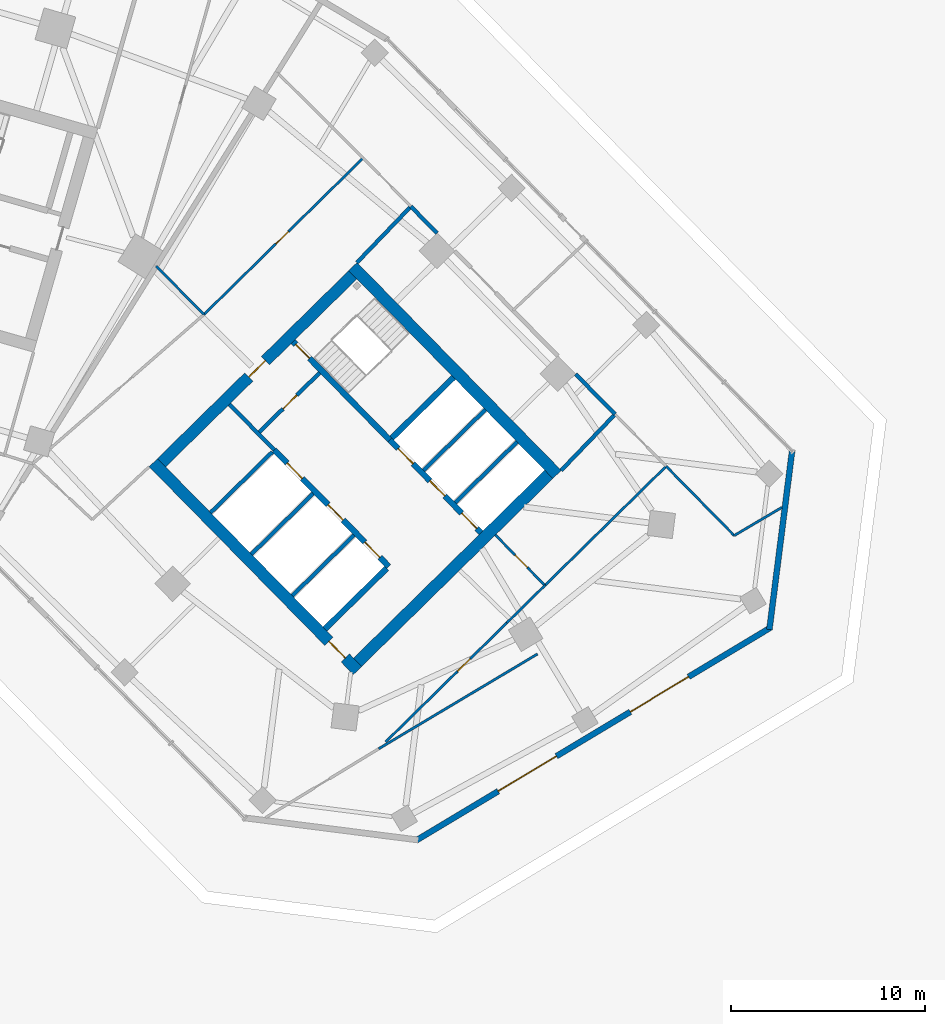
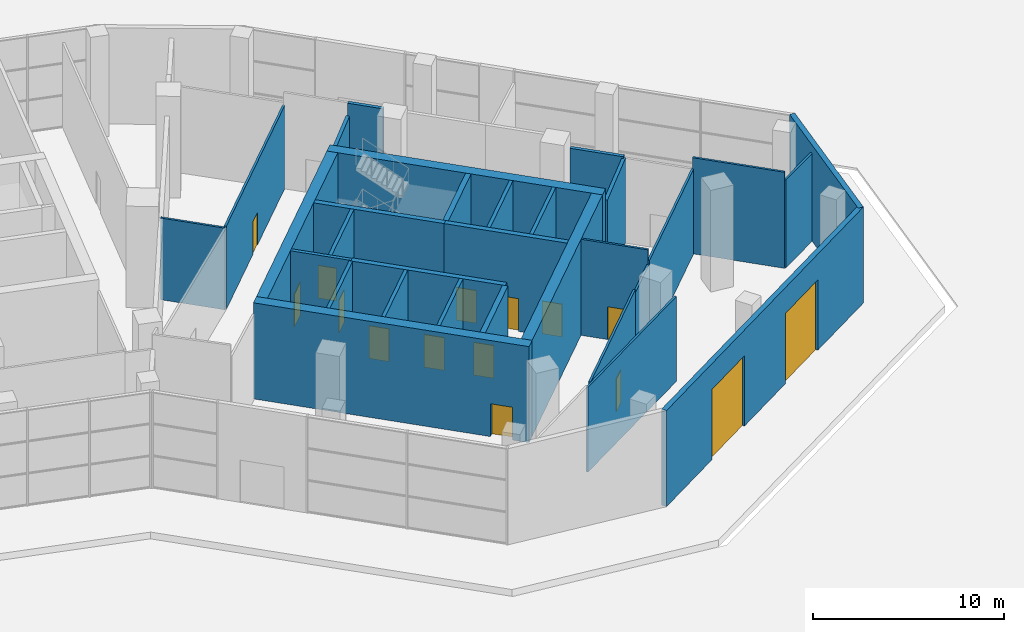
# One storey, part 16 of 22: 31 walls, 15 doors, 15 openings.
"""IFC4 building model written with IfcOpenShell, lengths in metres."""

from ifc_helpers import new_model, si_unit, direction, frame, frame_2d, origin, place, context, subcontext, project, spatial, rectangle, extrude, material, layer, layer_set, type_object, element, fill, save


model = new_model("IFC4")

# Units and contexts
model_context = context("Model", 3, precision=1e-05, world=origin(), true_north=direction((0.0, 1.0)))
body_context = subcontext(model_context, "Body", "Model", "MODEL_VIEW")
ifc_project = project(units=[si_unit("LENGTHUNIT", "METRE"), si_unit("AREAUNIT", "SQUARE_METRE"), si_unit("VOLUMEUNIT", "CUBIC_METRE"), si_unit("PLANEANGLEUNIT", "RADIAN"), si_unit("MASSUNIT", "GRAM", prefix="KILO")], contexts=[model_context])

# Site, building, storey
site_placement = place(None, origin())
site = spatial("IfcSite", under=ifc_project, at=site_placement, CompositionType="ELEMENT")
building_placement = place(site_placement, origin())
building = spatial("IfcBuilding", under=site, at=building_placement, Name="Binnacle Exchange Tower", CompositionType="ELEMENT")
storey_placement = place(building_placement, origin())
storey = spatial("IfcBuildingStorey", under=building, at=storey_placement, Name="L00", CompositionType="ELEMENT", Elevation=0.0)

# Wall, openings, doors
ifc_material_1 = material(Name="Concrete C70/85", Category="concrete")
ifc_layer_1 = layer(ifc_material_1, 0.300048828125)
ifc_layer_set_1 = layer_set([ifc_layer_1], Name="Core wall - front 300")
wall_type_1 = type_object("IfcWallType", Name="Core wall - front 300", PredefinedType="SOLIDWALL", material=ifc_layer_set_1)
wall_1_placement = place(storey_placement, frame((37.8740234375, 41.41552734375, 0.0), z_axis=(0.0, 0.0, 1.0), x_axis=(0.700918271237, -0.71324159795, 0.0)))
wall_1 = element("IfcWall", 1, at=wall_1_placement, inside=storey, type_object=wall_type_1, Name="Core wall CRWB3", PredefinedType="SOLIDWALL", context=body_context, shape_type="SweptSolid", body=[
    extrude(rectangle(XDim=8.39990234375, YDim=0.300048828125, at=frame_2d((4.199951171875, 0.0))), origin(), (0.0, 0.0, 1.0), 6.14990234375),
])
opening_1_placement = place(wall_1_placement, frame((0.949951171875, 0.0, 0.0)))
opening_1 = element("IfcOpeningElement", 2, at=opening_1_placement, cuts=wall_1, Name="Opening LD15", PredefinedType="OPENING", context=body_context, shape_type="SweptSolid", body=[
    extrude(rectangle(XDim=1.10009765625, YDim=2.10009765625, at=frame_2d((0.550048828125, 1.050048828125))), frame((0.0, 0.159912109375, 0.0), z_axis=(0.0, -1.0, 0.0), x_axis=(1.0, 0.0, 0.0)), (0.0, 0.0, 1.0), 0.320068359375),
])
opening_2_placement = place(wall_1_placement, frame((3.949951171875, 0.0, 0.0)))
opening_2 = element("IfcOpeningElement", 3, at=opening_2_placement, cuts=wall_1, Name="Opening LD16", PredefinedType="OPENING", context=body_context, shape_type="SweptSolid", body=[
    extrude(rectangle(XDim=1.10009765625, YDim=2.10009765625, at=frame_2d((0.550048828125, 1.050048828125))), frame((0.0, 0.159912109375, 0.0), z_axis=(0.0, -1.0, 0.0), x_axis=(1.0, 0.0, 0.0)), (0.0, 0.0, 1.0), 0.320068359375),
])
opening_3_placement = place(wall_1_placement, frame((6.64990234375, 0.0, 0.0)))
opening_3 = element("IfcOpeningElement", 4, at=opening_3_placement, cuts=wall_1, Name="Opening LD4", PredefinedType="OPENING", context=body_context, shape_type="SweptSolid", body=[
    extrude(rectangle(XDim=1.10009765625, YDim=2.10009765625, at=frame_2d((0.550048828125, 1.050048828125))), frame((0.0, 0.159912109375, 0.0), z_axis=(0.0, -1.0, 0.0), x_axis=(1.0, 0.0, 0.0)), (0.0, 0.0, 1.0), 0.320068359375),
])
ifc_material_2 = material(Name="Steel door leaf", Category="steel")
door_type_1 = type_object("IfcDoorType", Name="Fire door - lift landing 1100", OperationType="NOTDEFINED", PredefinedType="DOOR", material=ifc_material_2)
door_1_placement = place(opening_1_placement, origin())
door_1 = element("IfcDoor", 5, at=door_1_placement, inside=storey, type_object=door_type_1, Name="Landing door LD15 L00", OperationType="DOUBLE_DOOR_SLIDING", OverallHeight=2.10009765625, OverallWidth=1.10009765625, PredefinedType="DOOR", context=body_context, shape_type="SweptSolid", body=[
    extrude(rectangle(XDim=1.10009765625, YDim=2.10009765625, at=frame_2d((0.550048828125, 1.050048828125))), frame((0.0, 0.02490234375, 0.0), z_axis=(0.0, -1.0, 0.0), x_axis=(1.0, 0.0, 0.0)), (0.0, 0.0, 1.0), 0.050048828125),
])
fill(opening_1, door_1)
door_2_placement = place(opening_2_placement, origin())
door_2 = element("IfcDoor", 6, at=door_2_placement, inside=storey, type_object=door_type_1, Name="Landing door LD16 L00", OperationType="DOUBLE_DOOR_SLIDING", OverallHeight=2.10009765625, OverallWidth=1.10009765625, PredefinedType="DOOR", context=body_context, shape_type="SweptSolid", body=[
    extrude(rectangle(XDim=1.10009765625, YDim=2.10009765625, at=frame_2d((0.550048828125, 1.050048828125))), frame((0.0, 0.02490234375, 0.0), z_axis=(0.0, -1.0, 0.0), x_axis=(1.0, 0.0, 0.0)), (0.0, 0.0, 1.0), 0.050048828125),
])
fill(opening_2, door_2)
door_3_placement = place(opening_3_placement, origin())
door_3 = element("IfcDoor", 7, at=door_3_placement, inside=storey, type_object=door_type_1, Name="Landing door LD4 L00", OperationType="DOUBLE_DOOR_SLIDING", OverallHeight=2.10009765625, OverallWidth=1.10009765625, PredefinedType="DOOR", context=body_context, shape_type="SweptSolid", body=[
    extrude(rectangle(XDim=1.10009765625, YDim=2.10009765625, at=frame_2d((0.550048828125, 1.050048828125))), frame((0.0, 0.02490234375, 0.0), z_axis=(0.0, -1.0, 0.0), x_axis=(1.0, 0.0, 0.0)), (0.0, 0.0, 1.0), 0.050048828125),
])
fill(opening_3, door_3)

wall_2_placement = place(storey_placement, frame((43.818603515625, 41.92919921875, 0.0), z_axis=(0.0, 0.0, 1.0), x_axis=(0.700921619155, -0.713238307862, 0.0)))
wall_2 = element("IfcWall", 8, at=wall_2_placement, inside=storey, type_object=wall_type_1, Name="Core wall CRWB5", PredefinedType="SOLIDWALL", context=body_context, shape_type="SweptSolid", body=[
    extrude(rectangle(XDim=6.69970703125, YDim=0.300048828125, at=frame_2d((3.349853515625, 0.0))), origin(), (0.0, 0.0, 1.0), 6.14990234375),
])
opening_4_placement = place(wall_2_placement, frame((0.614990234375, 0.0, 0.0)))
opening_4 = element("IfcOpeningElement", 9, at=opening_4_placement, cuts=wall_2, Name="Opening LD1", PredefinedType="OPENING", context=body_context, shape_type="SweptSolid", body=[
    extrude(rectangle(XDim=1.10009765625, YDim=2.10009765625, at=frame_2d((0.550048828125, 1.050048828125))), frame((0.0, 0.159912109375, 0.0), z_axis=(0.0, -1.0, 0.0), x_axis=(1.0, 0.0, 0.0)), (0.0, 0.0, 1.0), 0.320068359375),
])
opening_5_placement = place(wall_2_placement, frame((2.945068359375, 0.0, 0.0)))
opening_5 = element("IfcOpeningElement", 10, at=opening_5_placement, cuts=wall_2, Name="Opening LD2", PredefinedType="OPENING", context=body_context, shape_type="SweptSolid", body=[
    extrude(rectangle(XDim=1.10009765625, YDim=2.10009765625, at=frame_2d((0.550048828125, 1.050048828125))), frame((0.0, 0.159912109375, 0.0), z_axis=(0.0, -1.0, 0.0), x_axis=(1.0, 0.0, 0.0)), (0.0, 0.0, 1.0), 0.320068359375),
])
opening_6_placement = place(wall_2_placement, frame((5.280029296875, 0.0, 0.0)))
opening_6 = element("IfcOpeningElement", 11, at=opening_6_placement, cuts=wall_2, Name="Opening LD3", PredefinedType="OPENING", context=body_context, shape_type="SweptSolid", body=[
    extrude(rectangle(XDim=1.10009765625, YDim=2.10009765625, at=frame_2d((0.550048828125, 1.050048828125))), frame((0.0, 0.159912109375, 0.0), z_axis=(0.0, -1.0, 0.0), x_axis=(1.0, 0.0, 0.0)), (0.0, 0.0, 1.0), 0.320068359375),
])
door_4_placement = place(opening_4_placement, origin())
door_4 = element("IfcDoor", 12, at=door_4_placement, inside=storey, type_object=door_type_1, Name="Landing door LD1 L00", OperationType="DOUBLE_DOOR_SLIDING", OverallHeight=2.10009765625, OverallWidth=1.10009765625, PredefinedType="DOOR", context=body_context, shape_type="SweptSolid", body=[
    extrude(rectangle(XDim=1.10009765625, YDim=2.10009765625, at=frame_2d((0.550048828125, 1.050048828125))), frame((0.0, 0.02490234375, 0.0), z_axis=(0.0, -1.0, 0.0), x_axis=(1.0, 0.0, 0.0)), (0.0, 0.0, 1.0), 0.050048828125),
])
fill(opening_4, door_4)
door_5_placement = place(opening_5_placement, origin())
door_5 = element("IfcDoor", 13, at=door_5_placement, inside=storey, type_object=door_type_1, Name="Landing door LD2 L00", OperationType="DOUBLE_DOOR_SLIDING", OverallHeight=2.10009765625, OverallWidth=1.10009765625, PredefinedType="DOOR", context=body_context, shape_type="SweptSolid", body=[
    extrude(rectangle(XDim=1.10009765625, YDim=2.10009765625, at=frame_2d((0.550048828125, 1.050048828125))), frame((0.0, 0.02490234375, 0.0), z_axis=(0.0, -1.0, 0.0), x_axis=(1.0, 0.0, 0.0)), (0.0, 0.0, 1.0), 0.050048828125),
])
fill(opening_5, door_5)
door_6_placement = place(opening_6_placement, origin())
door_6 = element("IfcDoor", 14, at=door_6_placement, inside=storey, type_object=door_type_1, Name="Landing door LD3 L00", OperationType="DOUBLE_DOOR_SLIDING", OverallHeight=2.10009765625, OverallWidth=1.10009765625, PredefinedType="DOOR", context=body_context, shape_type="SweptSolid", body=[
    extrude(rectangle(XDim=1.10009765625, YDim=2.10009765625, at=frame_2d((0.550048828125, 1.050048828125))), frame((0.0, 0.02490234375, 0.0), z_axis=(0.0, -1.0, 0.0), x_axis=(1.0, 0.0, 0.0)), (0.0, 0.0, 1.0), 0.050048828125),
])
fill(opening_6, door_6)

# Wall
wall_3_placement = place(storey_placement, frame((40.480712890625, 32.199951171875, 0.0), z_axis=(0.0, 0.0, 1.0), x_axis=(0.713251741427, 0.700907949271, 0.0)))
element("IfcWall", 15, at=wall_3_placement, inside=storey, type_object=wall_type_1, Name="Core wall CRWB14", PredefinedType="SOLIDWALL", context=body_context, shape_type="SweptSolid", body=[
    extrude(rectangle(XDim=4.4501953125, YDim=0.300048828125, at=frame_2d((2.22509765625, 0.0))), origin(), (0.0, 0.0, 1.0), 6.14990234375),
])

# Wall, opening, door
ifc_layer_2 = layer(ifc_material_1, 0.60009765625)
ifc_layer_set_2 = layer_set([ifc_layer_2], Name="Core wall - outer 600")
wall_type_2 = type_object("IfcWallType", Name="Core wall - outer 600", PredefinedType="SOLIDWALL", material=ifc_layer_set_2)
wall_4_placement = place(storey_placement, frame((31.6455078125, 40.7626953125, 0.0), z_axis=(0.0, 0.0, 1.0), x_axis=(0.700911255944, -0.713248491965, 0.0)))
wall_4 = element("IfcWall", 16, at=wall_4_placement, inside=storey, type_object=wall_type_2, Name="Core wall CRWB1", PredefinedType="SOLIDWALL", context=body_context, shape_type="SweptSolid", body=[
    extrude(rectangle(XDim=15.0, YDim=0.60009765625, at=frame_2d((7.5, 0.0))), origin(), (0.0, 0.0, 1.0), 6.14990234375),
])
opening_7_placement = place(wall_4_placement, frame((12.89990234375, 0.0, 0.0)))
opening_7 = element("IfcOpeningElement", 17, at=opening_7_placement, cuts=wall_4, Name="Opening DB7", PredefinedType="OPENING", context=body_context, shape_type="SweptSolid", body=[
    extrude(rectangle(XDim=1.199951171875, YDim=2.10009765625, at=frame_2d((0.60009765625, 1.050048828125))), frame((0.0, 0.31005859375, 0.0), z_axis=(0.0, -1.0, 0.0), x_axis=(1.0, 0.0, 0.0)), (0.0, 0.0, 1.0), 0.6201171875),
])
door_type_2 = type_object("IfcDoorType", Name="Fire door 1200", OperationType="NOTDEFINED", PredefinedType="DOOR", material=ifc_material_2)
door_7_placement = place(opening_7_placement, frame((1.199951171875, 0.0, 0.0), z_axis=(0.0, 0.0, 1.0), x_axis=(-1.0, 0.0, 0.0)))
door_7 = element("IfcDoor", 18, at=door_7_placement, inside=storey, type_object=door_type_2, Name="Lift lobby entrance door core B", OperationType="SINGLE_SWING_LEFT", OverallHeight=2.10009765625, OverallWidth=1.199951171875, PredefinedType="DOOR", context=body_context, shape_type="SweptSolid", body=[
    extrude(rectangle(XDim=1.199951171875, YDim=2.10009765625, at=frame_2d((0.60009765625, 1.050048828125))), frame((0.0, 0.02490234375, 0.0), z_axis=(0.0, -1.0, 0.0), x_axis=(1.0, 0.0, 0.0)), (0.0, 0.0, 1.0), 0.050048828125),
])
fill(opening_7, door_7)

# Wall
wall_5_placement = place(storey_placement, frame((41.91650390625, 50.855712890625, 0.0), z_axis=(0.0, 0.0, 1.0), x_axis=(0.700911255944, -0.713248491965, 0.0)))
element("IfcWall", 19, at=wall_5_placement, inside=storey, type_object=wall_type_2, Name="Core wall CRWB6", PredefinedType="SOLIDWALL", context=body_context, shape_type="SweptSolid", body=[
    extrude(rectangle(XDim=15.0, YDim=0.60009765625, at=frame_2d((7.5, 0.0))), origin(), (0.0, 0.0, 1.0), 6.14990234375),
])

# Wall, opening, door
wall_6_placement = place(storey_placement, frame((32.06982421875, 40.759033203125, 0.0), z_axis=(0.0, 0.0, 1.0), x_axis=(0.713245344712, 0.70091445858, 0.0)))
wall_6 = element("IfcWall", 20, at=wall_6_placement, inside=storey, type_object=wall_type_2, Name="Core wall CRWB7", PredefinedType="SOLIDWALL", context=body_context, shape_type="SweptSolid", body=[
    extrude(rectangle(XDim=13.800048828125, YDim=0.60009765625, at=frame_2d((6.89990234375, 0.0))), origin(), (0.0, 0.0, 1.0), 6.14990234375),
])
opening_8_placement = place(wall_6_placement, frame((6.300048828125, 0.0, 0.0)))
opening_8 = element("IfcOpeningElement", 21, at=opening_8_placement, cuts=wall_6, Name="Opening DB5", PredefinedType="OPENING", context=body_context, shape_type="SweptSolid", body=[
    extrude(rectangle(XDim=1.199951171875, YDim=2.10009765625, at=frame_2d((0.60009765625, 1.050048828125))), frame((0.0, 0.31005859375, 0.0), z_axis=(0.0, -1.0, 0.0), x_axis=(1.0, 0.0, 0.0)), (0.0, 0.0, 1.0), 0.6201171875),
])
door_8_placement = place(opening_8_placement, origin())
door_8 = element("IfcDoor", 22, at=door_8_placement, inside=storey, type_object=door_type_2, Name="Vestibule exit door VEST-W", OperationType="SINGLE_SWING_RIGHT", OverallHeight=2.10009765625, OverallWidth=1.199951171875, PredefinedType="DOOR", context=body_context, shape_type="SweptSolid", body=[
    extrude(rectangle(XDim=1.199951171875, YDim=2.10009765625, at=frame_2d((0.60009765625, 1.050048828125))), frame((0.0, 0.02490234375, 0.0), z_axis=(0.0, -1.0, 0.0), x_axis=(1.0, 0.0, 0.0)), (0.0, 0.0, 1.0), 0.050048828125),
])
fill(opening_8, door_8)

# Wall
wall_7_placement = place(storey_placement, frame((42.1630859375, 30.48828125, 0.0), z_axis=(0.0, 0.0, 1.0), x_axis=(0.713245344712, 0.70091445858, 0.0)))
element("IfcWall", 23, at=wall_7_placement, inside=storey, type_object=wall_type_2, Name="Core wall CRWB16", PredefinedType="SOLIDWALL", context=body_context, shape_type="SweptSolid", body=[
    extrude(rectangle(XDim=13.800048828125, YDim=0.60009765625, at=frame_2d((6.89990234375, 0.0))), origin(), (0.0, 0.0, 1.0), 6.14990234375),
])

# Wall, opening, door
ifc_layer_3 = layer(ifc_material_1, 0.300048828125)
ifc_layer_set_3 = layer_set([ifc_layer_3], Name="Core wall - stair 300")
wall_type_3 = type_object("IfcWallType", Name="Core wall - stair 300", PredefinedType="SOLIDWALL", material=ifc_layer_set_3)
wall_8_placement = place(storey_placement, frame((38.842041015625, 46.993408203125, 0.0), z_axis=(0.0, 0.0, 1.0), x_axis=(0.700907701701, -0.713251984713, 0.0)))
wall_8 = element("IfcWall", 24, at=wall_8_placement, inside=storey, type_object=wall_type_3, Name="Core wall CRWB4", PredefinedType="SOLIDWALL", context=body_context, shape_type="SweptSolid", body=[
    extrude(rectangle(XDim=7.10009765625, YDim=0.300048828125, at=frame_2d((3.550048828125, 0.0))), origin(), (0.0, 0.0, 1.0), 6.14990234375),
])
opening_9_placement = place(wall_8_placement, frame((0.199951171875, 0.0, 0.0)))
opening_9 = element("IfcOpeningElement", 25, at=opening_9_placement, cuts=wall_8, Name="Opening DB1", PredefinedType="OPENING", context=body_context, shape_type="SweptSolid", body=[
    extrude(rectangle(XDim=1.0, YDim=2.10009765625, at=frame_2d((0.5, 1.050048828125))), frame((0.0, 0.159912109375, 0.0), z_axis=(0.0, -1.0, 0.0), x_axis=(1.0, 0.0, 0.0)), (0.0, 0.0, 1.0), 0.320068359375),
])
door_type_3 = type_object("IfcDoorType", Name="Fire door 1000", OperationType="NOTDEFINED", PredefinedType="DOOR", material=ifc_material_2)
door_9_placement = place(opening_9_placement, origin())
door_9 = element("IfcDoor", 26, at=door_9_placement, inside=storey, type_object=door_type_3, Name="Stair door ST-B1", OperationType="SINGLE_SWING_LEFT", OverallHeight=2.10009765625, OverallWidth=1.0, PredefinedType="DOOR", context=body_context, shape_type="SweptSolid", body=[
    extrude(rectangle(XDim=1.0, YDim=2.10009765625, at=frame_2d((0.5, 1.050048828125))), frame((0.0, 0.02490234375, 0.0), z_axis=(0.0, -1.0, 0.0), x_axis=(1.0, 0.0, 0.0)), (0.0, 0.0, 1.0), 0.050048828125),
])
fill(opening_9, door_9)

# Wall
wall_9_placement = place(storey_placement, frame((43.925537109375, 42.034423828125, 0.0), z_axis=(0.0, 0.0, 1.0), x_axis=(0.713251741427, 0.700907949271, 0.0)))
element("IfcWall", 27, at=wall_9_placement, inside=storey, type_object=wall_type_3, Name="Core wall CRWB11", PredefinedType="SOLIDWALL", context=body_context, shape_type="SweptSolid", body=[
    extrude(rectangle(XDim=4.4501953125, YDim=0.300048828125, at=frame_2d((2.22509765625, 0.0))), origin(), (0.0, 0.0, 1.0), 6.14990234375),
])

# Wall, openings, doors
ifc_material_3 = material(Name="Bronze aluminium louvre", Category="aluminium")
ifc_layer_4 = layer(ifc_material_3, 0.300048828125)
ifc_layer_set_4 = layer_set([ifc_layer_4], Name="External wall - podium louvre 300")
wall_type_4 = type_object("IfcWallType", Name="External wall - podium louvre 300", PredefinedType="STANDARD", material=ifc_layer_set_4)
wall_10_placement = place(storey_placement, frame((63.432373046875, 32.28076171875, 0.0), z_axis=(0.0, 0.0, 1.0), x_axis=(-0.85716989082, -0.515033764206, 0.0)))
wall_10 = element("IfcWall", 28, at=wall_10_placement, inside=storey, type_object=wall_type_4, Name="External wall EW-P10 L00", PredefinedType="STANDARD", context=body_context, shape_type="SweptSolid", body=[
    extrude(rectangle(XDim=21.283935546875, YDim=0.300048828125, at=frame_2d((10.64208984375, 0.0))), origin(), (0.0, 0.0, 1.0), 6.14990234375),
])
opening_10_placement = place(wall_10_placement, frame((12.86962890625, 0.0, 0.0)))
opening_10 = element("IfcOpeningElement", 29, at=opening_10_placement, cuts=wall_10, Name="Opening D-FS01-09", PredefinedType="OPENING", context=body_context, shape_type="SweptSolid", body=[
    extrude(rectangle(XDim=3.5, YDim=4.5, at=frame_2d((1.75, 2.25))), frame((0.0, 0.159912109375, 0.0), z_axis=(0.0, -1.0, 0.0), x_axis=(1.0, 0.0, 0.0)), (0.0, 0.0, 1.0), 0.320068359375),
])
opening_11_placement = place(wall_10_placement, frame((4.93505859375, 0.0, 0.0)))
opening_11 = element("IfcOpeningElement", 30, at=opening_11_placement, cuts=wall_10, Name="Opening D-FS01-10", PredefinedType="OPENING", context=body_context, shape_type="SweptSolid", body=[
    extrude(rectangle(XDim=3.5, YDim=4.5, at=frame_2d((1.75, 2.25))), frame((0.0, 0.159912109375, 0.0), z_axis=(0.0, -1.0, 0.0), x_axis=(1.0, 0.0, 0.0)), (0.0, 0.0, 1.0), 0.320068359375),
])
ifc_material_4 = material(Name="Bronze coated aluminium roller shutter", Category="aluminium")
door_type_4 = type_object("IfcDoorType", Name="DL DOOR 3500x4500", OperationType="ROLLINGUP", PredefinedType="DOOR", material=ifc_material_4)
door_10_placement = place(opening_10_placement, origin())
door_10 = element("IfcDoor", 31, at=door_10_placement, inside=storey, type_object=door_type_4, Name="Door D-FS01-09 L00", OperationType="ROLLINGUP", OverallHeight=4.5, OverallWidth=3.5, PredefinedType="DOOR", context=body_context, shape_type="SweptSolid", body=[
    extrude(rectangle(XDim=3.5, YDim=4.5, at=frame_2d((1.75, 2.25))), frame((0.0, 0.02490234375, 0.0), z_axis=(0.0, -1.0, 0.0), x_axis=(1.0, 0.0, 0.0)), (0.0, 0.0, 1.0), 0.050048828125),
])
fill(opening_10, door_10)
door_11_placement = place(opening_11_placement, origin())
door_11 = element("IfcDoor", 32, at=door_11_placement, inside=storey, type_object=door_type_4, Name="Door D-FS01-10 L00", OperationType="ROLLINGUP", OverallHeight=4.5, OverallWidth=3.5, PredefinedType="DOOR", context=body_context, shape_type="SweptSolid", body=[
    extrude(rectangle(XDim=3.5, YDim=4.5, at=frame_2d((1.75, 2.25))), frame((0.0, 0.02490234375, 0.0), z_axis=(0.0, -1.0, 0.0), x_axis=(1.0, 0.0, 0.0)), (0.0, 0.0, 1.0), 0.050048828125),
])
fill(opening_11, door_11)

# Walls
wall_11_placement = place(storey_placement, frame((64.5341796875, 41.39453125, 0.0), z_axis=(0.0, 0.0, 1.0), x_axis=(-0.126196492818, -0.992005264704, 0.0)))
element("IfcWall", 33, at=wall_11_placement, inside=storey, type_object=wall_type_4, Name="External wall EW-P11 L00", PredefinedType="STANDARD", context=body_context, shape_type="SweptSolid", body=[
    extrude(rectangle(XDim=9.297607421875, YDim=0.300048828125, at=frame_2d((4.64892578125, 0.0))), origin(), (0.0, 0.0, 1.0), 6.14990234375),
])
ifc_material_5 = material(Name="Masonry block wall", Category="masonry")
ifc_layer_5 = layer(ifc_material_5, 0.199951171875)
ifc_layer_set_5 = layer_set([ifc_layer_5], Name="Fire wall - block 200")
wall_type_5 = type_object("IfcWallType", Name="Fire wall - block 200", PredefinedType="PARTITIONING", material=ifc_layer_set_5)
wall_12_placement = place(storey_placement, frame((42.1298828125, 51.06591796875, 0.0), z_axis=(0.0, 0.0, 1.0), x_axis=(0.693124563472, 0.720817826855, 0.0)))
element("IfcWall", 34, at=wall_12_placement, inside=storey, type_object=wall_type_5, Name="Partition W70", PredefinedType="PARTITIONING", context=body_context, shape_type="SweptSolid", body=[
    extrude(rectangle(XDim=4.00244140625, YDim=0.199951171875, at=frame_2d((2.001220703125, 0.0))), origin(), (0.0, 0.0, 1.0), 5.330078125),
])
wall_13_placement = place(storey_placement, frame((44.904052734375, 53.950927734375, 0.0), z_axis=(0.0, 0.0, 1.0), x_axis=(0.7008501288, -0.713308556629, 0.0)))
element("IfcWall", 35, at=wall_13_placement, inside=storey, type_object=wall_type_5, Name="Partition W74", PredefinedType="PARTITIONING", context=body_context, shape_type="SweptSolid", body=[
    extrude(rectangle(XDim=1.92041015625, YDim=0.199951171875, at=frame_2d((0.960205078125, 0.0))), origin(), (0.0, 0.0, 1.0), 6.14990234375),
])
wall_14_placement = place(storey_placement, frame((52.64404296875, 40.366943359375, 0.0), z_axis=(0.0, 0.0, 1.0), x_axis=(0.693092868026, 0.720848303245, 0.0)))
element("IfcWall", 36, at=wall_14_placement, inside=storey, type_object=wall_type_5, Name="Partition W81", PredefinedType="PARTITIONING", context=body_context, shape_type="SweptSolid", body=[
    extrude(rectangle(XDim=4.002197265625, YDim=0.199951171875, at=frame_2d((2.0009765625, 0.0))), origin(), (0.0, 0.0, 1.0), 5.422119140625),
])
wall_15_placement = place(storey_placement, frame((53.3798828125, 45.325927734375, 0.0), z_axis=(0.0, 0.0, 1.0), x_axis=(0.700908698341, -0.71325100532, 0.0)))
element("IfcWall", 37, at=wall_15_placement, inside=storey, type_object=wall_type_5, Name="Partition W82", PredefinedType="PARTITIONING", context=body_context, shape_type="SweptSolid", body=[
    extrude(rectangle(XDim=2.90771484375, YDim=0.199951171875, at=frame_2d((1.453857421875, 0.0))), origin(), (0.0, 0.0, 1.0), 5.530029296875),
])

# Wall, opening, door
ifc_layer_6 = layer(ifc_material_5, 0.199951171875)
ifc_layer_set_6 = layer_set([ifc_layer_6], Name="Fire wall - vestibule 200")
wall_type_6 = type_object("IfcWallType", Name="Fire wall - vestibule 200", PredefinedType="PARTITIONING", material=ifc_layer_set_6)
wall_16_placement = place(storey_placement, frame((37.104248046875, 42.341552734375, 0.0), z_axis=(0.0, 0.0, 1.0), x_axis=(0.713281298468, 0.700877870428, 0.0)))
wall_16 = element("IfcWall", 38, at=wall_16_placement, inside=storey, type_object=wall_type_6, Name="Core wall CRWB8", PredefinedType="PARTITIONING", context=body_context, shape_type="SweptSolid", body=[
    extrude(rectangle(XDim=4.35009765625, YDim=0.199951171875, at=frame_2d((2.175048828125, 0.0))), origin(), (0.0, 0.0, 1.0), 6.14990234375),
])
opening_12_placement = place(wall_16_placement, frame((1.699951171875, 0.0, 0.0)))
opening_12 = element("IfcOpeningElement", 39, at=opening_12_placement, cuts=wall_16, Name="Opening DB3", PredefinedType="OPENING", context=body_context, shape_type="SweptSolid", body=[
    extrude(rectangle(XDim=1.0, YDim=2.10009765625, at=frame_2d((0.5, 1.050048828125))), frame((0.0, 0.10986328125, 0.0), z_axis=(0.0, -1.0, 0.0), x_axis=(1.0, 0.0, 0.0)), (0.0, 0.0, 1.0), 0.219970703125),
])
door_12_placement = place(opening_12_placement, origin())
door_12 = element("IfcDoor", 40, at=door_12_placement, inside=storey, type_object=door_type_3, Name="Vestibule door VEST-W", OperationType="SINGLE_SWING_RIGHT", OverallHeight=2.10009765625, OverallWidth=1.0, PredefinedType="DOOR", context=body_context, shape_type="SweptSolid", body=[
    extrude(rectangle(XDim=1.0, YDim=2.10009765625, at=frame_2d((0.5, 1.050048828125))), frame((0.0, 0.02490234375, 0.0), z_axis=(0.0, -1.0, 0.0), x_axis=(1.0, 0.0, 0.0)), (0.0, 0.0, 1.0), 0.050048828125),
])
fill(opening_12, door_12)

# Wall
ifc_material_6 = material(Name="Gypsum partition")
ifc_layer_7 = layer(ifc_material_6, 0.125)
ifc_layer_set_7 = layer_set([ifc_layer_7], Name="Partition 125")
wall_type_7 = type_object("IfcWallType", Name="Partition 125", PredefinedType="PARTITIONING", material=ifc_layer_set_7)
wall_17_placement = place(storey_placement, frame((31.794921875, 50.883056640625, 0.0), z_axis=(0.0, 0.0, 1.0), x_axis=(0.700801832867, -0.713356005828, 0.0)))
element("IfcWall", 41, at=wall_17_placement, inside=storey, type_object=wall_type_7, Name="Partition W63", PredefinedType="PARTITIONING", context=body_context, shape_type="SweptSolid", body=[
    extrude(rectangle(XDim=3.50048828125, YDim=0.125, at=frame_2d((1.750244140625, 0.0))), origin(), (0.0, 0.0, 1.0), 5.22998046875),
])

# Wall, opening, door
wall_18_placement = place(storey_placement, frame((34.248046875, 48.385986328125, 0.0), z_axis=(0.0, 0.0, 1.0), x_axis=(0.713246685355, 0.700913094349, 0.0)))
wall_18 = element("IfcWall", 42, at=wall_18_placement, inside=storey, type_object=wall_type_7, Name="Partition W65", PredefinedType="PARTITIONING", context=body_context, shape_type="SweptSolid", body=[
    extrude(rectangle(XDim=11.500732421875, YDim=0.125, at=frame_2d((5.75048828125, 0.0))), origin(), (0.0, 0.0, 1.0), 5.330078125),
])
opening_13_placement = place(wall_18_placement, frame((5.199951171875, 0.0, 0.0)))
opening_13 = element("IfcOpeningElement", 43, at=opening_13_placement, cuts=wall_18, Name="Opening DL00-27", PredefinedType="OPENING", context=body_context, shape_type="SweptSolid", body=[
    extrude(rectangle(XDim=0.89990234375, YDim=2.10009765625, at=frame_2d((0.449951171875, 1.050048828125))), frame((0.0, 0.072509765625, 0.0), z_axis=(0.0, -1.0, 0.0), x_axis=(1.0, 0.0, 0.0)), (0.0, 0.0, 1.0), 0.14501953125),
])
ifc_material_7 = material(Name="Timber door leaf", Category="wood")
door_type_5 = type_object("IfcDoorType", Name="Door 900", OperationType="NOTDEFINED", PredefinedType="DOOR", material=ifc_material_7)
door_13_placement = place(opening_13_placement, origin())
door_13 = element("IfcDoor", 44, at=door_13_placement, inside=storey, type_object=door_type_5, Name="Door DL00-27", OperationType="SINGLE_SWING_LEFT", OverallHeight=2.10009765625, OverallWidth=0.89990234375, PredefinedType="DOOR", context=body_context, shape_type="SweptSolid", body=[
    extrude(rectangle(XDim=0.89990234375, YDim=2.10009765625, at=frame_2d((0.449951171875, 1.050048828125))), frame((0.0, 0.02490234375, 0.0), z_axis=(0.0, -1.0, 0.0), x_axis=(1.0, 0.0, 0.0)), (0.0, 0.0, 1.0), 0.050048828125),
])
fill(opening_13, door_13)

# Wall
wall_19_placement = place(storey_placement, frame((43.24609375, 26.032958984375, 0.0), z_axis=(0.0, 0.0, 1.0), x_axis=(0.858683095437, 0.512506918597, 0.0)))
element("IfcWall", 45, at=wall_19_placement, inside=storey, type_object=wall_type_7, Name="Partition W72", PredefinedType="PARTITIONING", context=body_context, shape_type="SweptSolid", body=[
    extrude(rectangle(XDim=9.520263671875, YDim=0.125, at=frame_2d((4.76025390625, 0.0))), origin(), (0.0, 0.0, 1.0), 5.429931640625),
])

# Wall, opening, door
wall_20_placement = place(storey_placement, frame((43.60107421875, 26.382080078125, 0.0), z_axis=(0.0, 0.0, 1.0), x_axis=(0.713244198141, 0.700915625321, 0.0)))
wall_20 = element("IfcWall", 46, at=wall_20_placement, inside=storey, type_object=wall_type_7, Name="Partition W73", PredefinedType="PARTITIONING", context=body_context, shape_type="SweptSolid", body=[
    extrude(rectangle(XDim=8.7529296875, YDim=0.125, at=frame_2d((4.37646484375, 0.0))), origin(), (0.0, 0.0, 1.0), 5.429931640625),
])
opening_14_placement = place(wall_20_placement, frame((5.199951171875, 0.0, 0.0)))
opening_14 = element("IfcOpeningElement", 47, at=opening_14_placement, cuts=wall_20, Name="Opening DL00-30", PredefinedType="OPENING", context=body_context, shape_type="SweptSolid", body=[
    extrude(rectangle(XDim=0.89990234375, YDim=2.10009765625, at=frame_2d((0.449951171875, 1.050048828125))), frame((0.0, 0.072509765625, 0.0), z_axis=(0.0, -1.0, 0.0), x_axis=(1.0, 0.0, 0.0)), (0.0, 0.0, 1.0), 0.14501953125),
])
door_14_placement = place(opening_14_placement, frame((0.89990234375, 0.0, 0.0), z_axis=(0.0, 0.0, 1.0), x_axis=(-1.0, 0.0, 0.0)))
door_14 = element("IfcDoor", 48, at=door_14_placement, inside=storey, type_object=door_type_5, Name="Door DL00-30", OperationType="SINGLE_SWING_LEFT", OverallHeight=2.10009765625, OverallWidth=0.89990234375, PredefinedType="DOOR", context=body_context, shape_type="SweptSolid", body=[
    extrude(rectangle(XDim=0.89990234375, YDim=2.10009765625, at=frame_2d((0.449951171875, 1.050048828125))), frame((0.0, 0.02490234375, 0.0), z_axis=(0.0, -1.0, 0.0), x_axis=(1.0, 0.0, 0.0)), (0.0, 0.0, 1.0), 0.050048828125),
])
fill(opening_14, door_14)

wall_21_placement = place(storey_placement, frame((49.256103515625, 37.0380859375, 0.0), z_axis=(0.0, 0.0, 1.0), x_axis=(0.700869700408, -0.713289326325, 0.0)))
wall_21 = element("IfcWall", 49, at=wall_21_placement, inside=storey, type_object=wall_type_7, Name="Partition W76", PredefinedType="PARTITIONING", context=body_context, shape_type="SweptSolid", body=[
    extrude(rectangle(XDim=3.63671875, YDim=0.125, at=frame_2d((1.818359375, 0.0))), origin(), (0.0, 0.0, 1.0), 6.14990234375),
])
opening_15_placement = place(wall_21_placement, frame((1.449951171875, 0.0, 0.0)))
opening_15 = element("IfcOpeningElement", 50, at=opening_15_placement, cuts=wall_21, Name="Opening DL00-24", PredefinedType="OPENING", context=body_context, shape_type="SweptSolid", body=[
    extrude(rectangle(XDim=0.89990234375, YDim=2.10009765625, at=frame_2d((0.449951171875, 1.050048828125))), frame((0.0, 0.072509765625, 0.0), z_axis=(0.0, -1.0, 0.0), x_axis=(1.0, 0.0, 0.0)), (0.0, 0.0, 1.0), 0.14501953125),
])
door_15_placement = place(opening_15_placement, origin())
door_15 = element("IfcDoor", 51, at=door_15_placement, inside=storey, type_object=door_type_5, Name="Door DL00-24", OperationType="SINGLE_SWING_RIGHT", OverallHeight=2.10009765625, OverallWidth=0.89990234375, PredefinedType="DOOR", context=body_context, shape_type="SweptSolid", body=[
    extrude(rectangle(XDim=0.89990234375, YDim=2.10009765625, at=frame_2d((0.449951171875, 1.050048828125))), frame((0.0, 0.02490234375, 0.0), z_axis=(0.0, -1.0, 0.0), x_axis=(1.0, 0.0, 0.0)), (0.0, 0.0, 1.0), 0.050048828125),
])
fill(opening_15, door_15)

# Walls
wall_22_placement = place(storey_placement, frame((49.843994140625, 32.51708984375, 0.0), z_axis=(0.0, 0.0, 1.0), x_axis=(0.713251533133, 0.700908161233, 0.0)))
element("IfcWall", 52, at=wall_22_placement, inside=storey, type_object=wall_type_7, Name="Partition W77", PredefinedType="PARTITIONING", context=body_context, shape_type="SweptSolid", body=[
    extrude(rectangle(XDim=2.749267578125, YDim=0.125, at=frame_2d((1.37451171875, 0.0))), origin(), (0.0, 0.0, 1.0), 5.218017578125),
])
wall_23_placement = place(storey_placement, frame((51.804931640625, 34.444091796875, 0.0), z_axis=(0.0, 0.0, 1.0), x_axis=(0.713260075739, 0.700899468081, 0.0)))
element("IfcWall", 53, at=wall_23_placement, inside=storey, type_object=wall_type_7, Name="Partition W80", PredefinedType="PARTITIONING", context=body_context, shape_type="SweptSolid", body=[
    extrude(rectangle(XDim=8.75, YDim=0.125, at=frame_2d((4.375, 0.0))), origin(), (0.0, 0.0, 1.0), 5.422119140625),
])
wall_24_placement = place(storey_placement, frame((58.0458984375, 40.576904296875, 0.0), z_axis=(0.0, 0.0, 1.0), x_axis=(0.700902402088, -0.713257192566, 0.0)))
element("IfcWall", 54, at=wall_24_placement, inside=storey, type_object=wall_type_7, Name="Partition W84", PredefinedType="PARTITIONING", context=body_context, shape_type="SweptSolid", body=[
    extrude(rectangle(XDim=4.99951171875, YDim=0.125, at=frame_2d((2.499755859375, 0.0))), origin(), (0.0, 0.0, 1.0), 6.14990234375),
])
wall_25_placement = place(storey_placement, frame((61.550048828125, 37.010986328125, 0.0), z_axis=(0.0, 0.0, 1.0), x_axis=(0.86118844999, 0.508285799136, 0.0)))
element("IfcWall", 55, at=wall_25_placement, inside=storey, type_object=wall_type_7, Name="Partition W85", PredefinedType="PARTITIONING", context=body_context, shape_type="SweptSolid", body=[
    extrude(rectangle(XDim=2.8564453125, YDim=0.125, at=frame_2d((1.42822265625, 0.0))), origin(), (0.0, 0.0, 1.0), 5.6240234375),
])
ifc_layer_8 = layer(ifc_material_5, 0.199951171875)
ifc_layer_set_8 = layer_set([ifc_layer_8], Name="Riser wall 200")
wall_type_8 = type_object("IfcWallType", Name="Riser wall 200", PredefinedType="SOLIDWALL", material=ifc_layer_set_8)
wall_26_placement = place(storey_placement, frame((35.56103515625, 43.769287109375, 0.0), z_axis=(0.0, 0.0, 1.0), x_axis=(0.70090232736, -0.713257266, 0.0)))
element("IfcWall", 56, at=wall_26_placement, inside=storey, type_object=wall_type_8, Name="Core wall CRWB2", PredefinedType="SOLIDWALL", context=body_context, shape_type="SweptSolid", body=[
    extrude(rectangle(XDim=3.300048828125, YDim=0.199951171875, at=frame_2d((1.64990234375, 0.0))), origin(), (0.0, 0.0, 1.0), 6.14990234375),
])
wall_27_placement = place(storey_placement, frame((34.59326171875, 38.19140625, 0.0), z_axis=(0.0, 0.0, 1.0), x_axis=(0.713252216116, 0.700907466222, 0.0)))
element("IfcWall", 57, at=wall_27_placement, inside=storey, type_object=wall_type_8, Name="Core wall CRWB9", PredefinedType="SOLIDWALL", context=body_context, shape_type="SweptSolid", body=[
    extrude(rectangle(XDim=4.44970703125, YDim=0.199951171875, at=frame_2d((2.224853515625, 0.0))), origin(), (0.0, 0.0, 1.0), 6.14990234375),
])
ifc_layer_9 = layer(ifc_material_5, 0.199951171875)
ifc_layer_set_9 = layer_set([ifc_layer_9], Name="Shaft wall 200")
wall_type_9 = type_object("IfcWallType", Name="Shaft wall 200", PredefinedType="SOLIDWALL", material=ifc_layer_set_9)
for number, where, z_axis, x_axis, name in (
    (58, (36.69580078125, 36.051513671875, 0.0), (0.0, 0.0, 1.0), (0.713251741427, 0.700907949271, 0.0), "Core wall CRWB10"),
    (59, (38.798583984375, 33.911865234375, 0.0), (0.0, 0.0, 1.0), (0.713251741427, 0.700907949271, 0.0), "Core wall CRWB12"),
    (60, (45.55859375, 40.37255859375, 0.0), (0.0, 0.0, 1.0), (0.713251741427, 0.700907949271, 0.0), "Core wall CRWB13"),
    (61, (47.191650390625, 38.710693359375, 0.0), (0.0, 0.0, 1.0), (0.713251741427, 0.700907949271, 0.0), "Core wall CRWB15"),
):
    element("IfcWall", number, at=place(storey_placement, frame(where, z_axis=z_axis, x_axis=x_axis)), inside=storey, type_object=wall_type_9, Name=name, PredefinedType="SOLIDWALL", context=body_context, shape_type="SweptSolid", body=[
        extrude(rectangle(XDim=4.4501953125, YDim=0.199951171875, at=frame_2d((2.22509765625, 0.0))), origin(), (0.0, 0.0, 1.0), 6.14990234375),
    ])

save(model, "model.ifc")
